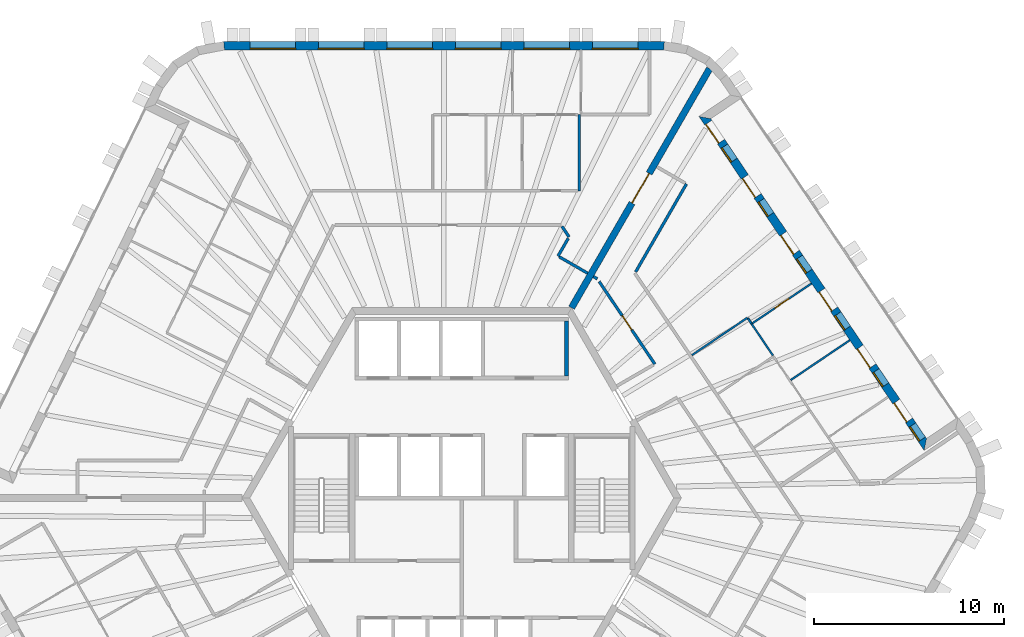
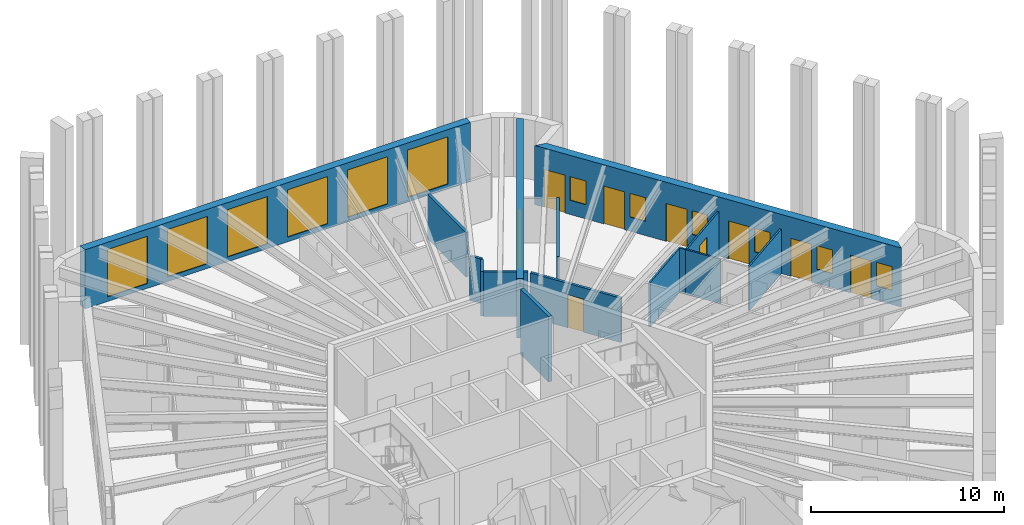
# One storey, part 9 of 12: 16 walls, 12 windows, 9 doors, 21 openings.
"""IFC4 building model written with IfcOpenShell, lengths in metres."""

from ifc_helpers import new_model, si_unit, direction, frame, frame_2d, origin, place, context, subcontext, project, spatial, polyline, rectangle, outline, extrude, material, layer, layer_set, type_object, element, fill, save


model = new_model("IFC4")

# Units and contexts
model_context = context("Model", 3, precision=1e-05, world=origin(), true_north=direction((0.0, 1.0)))
body_context = subcontext(model_context, "Body", "Model", "MODEL_VIEW")
ifc_project = project(units=[si_unit("LENGTHUNIT", "METRE"), si_unit("AREAUNIT", "SQUARE_METRE"), si_unit("VOLUMEUNIT", "CUBIC_METRE"), si_unit("PLANEANGLEUNIT", "RADIAN"), si_unit("MASSUNIT", "GRAM", prefix="KILO")], contexts=[model_context])

# Site, building, storey
site_placement = place(None, origin())
site = spatial("IfcSite", under=ifc_project, at=site_placement, CompositionType="ELEMENT")
building_placement = place(site_placement, origin())
building = spatial("IfcBuilding", under=site, at=building_placement, Name="Tarnside Tower", CompositionType="ELEMENT")
storey_placement = place(building_placement, frame((0.0, 0.0, 349.5)))
storey = spatial("IfcBuildingStorey", under=building, at=storey_placement, Name="L84", CompositionType="ELEMENT", Elevation=349.5)

# Walls
ifc_material_1 = material(Name="Gypsum board partition on steel studs", Category="steel")
ifc_layer_1 = layer(ifc_material_1, 0.10009765625)
ifc_layer_set_1 = layer_set([ifc_layer_1], Name="Bathroom wall 100")
wall_type_1 = type_object("IfcWallType", Name="Bathroom wall 100", PredefinedType="PARTITIONING", material=ifc_layer_set_1)
wall_1_placement = place(storey_placement, frame((12.09619140625, 7.50537109375, 0.0), z_axis=(0.0, 0.0, 1.0), x_axis=(0.829065408555, 0.559151632687, 0.0)))
element("IfcWall", 1, at=wall_1_placement, inside=storey, type_object=wall_type_1, Name="Bathroom wall 27120", PredefinedType="PARTITIONING", context=body_context, shape_type="SweptSolid", body=[
    extrude(rectangle(XDim=3.52490234375, YDim=0.10009765625, at=frame_2d((1.762451171875, 0.0))), origin(), (0.0, 0.0, 1.0), 2.820068359375),
])
wall_2_placement = place(storey_placement, frame((15.04638671875, 9.43505859375, 0.0), z_axis=(0.0, 0.0, 1.0), x_axis=(0.559141668278, -0.829072128826, 0.0)))
element("IfcWall", 2, at=wall_2_placement, inside=storey, type_object=wall_type_1, Name="Bathroom wall 27121", PredefinedType="PARTITIONING", context=body_context, shape_type="SweptSolid", body=[
    extrude(rectangle(XDim=0.341796875, YDim=0.10009765625, at=frame_2d((0.1708984375, 0.0))), origin(), (0.0, 0.0, 1.0), 2.820068359375),
])
wall_3_placement = place(storey_placement, frame((15.2353515625, 9.155029296875, 0.0), z_axis=(0.0, 0.0, 1.0), x_axis=(0.559199850123, -0.829032886937, 0.0)))
element("IfcWall", 3, at=wall_3_placement, inside=storey, type_object=wall_type_1, Name="Bathroom wall 27130", PredefinedType="PARTITIONING", context=body_context, shape_type="SweptSolid", body=[
    extrude(rectangle(XDim=2.01220703125, YDim=0.10009765625, at=frame_2d((1.006103515625, 0.0))), origin(), (0.0, 0.0, 1.0), 2.820068359375),
])

# Wall, opening, door
ifc_material_2 = material(Name="Concrete C50/60", Category="concrete")
ifc_layer_2 = layer(ifc_material_2, 0.35009765625)
ifc_layer_set_2 = layer_set([ifc_layer_2], Name="Core wall Z4 350 C50/60")
wall_type_2 = type_object("IfcWallType", Name="Core wall Z4 350 C50/60", PredefinedType="SHEAR", material=ifc_layer_set_2)
wall_4_placement = place(storey_placement, frame((5.7734375, 10.0, 0.0), z_axis=(0.0, 0.0, 1.0), x_axis=(0.500007911273, 0.866020836161, 0.0)))
wall_4 = element("IfcWall", 4, at=wall_4_placement, inside=storey, type_object=wall_type_2, Name="L84 spine wall 1", PredefinedType="SHEAR", context=body_context, shape_type="SweptSolid", body=[
    extrude(rectangle(XDim=14.510498046875, YDim=0.35009765625, at=frame_2d((7.25537109375, 0.0))), origin(), (0.0, 0.0, 1.0), 3.75),
])
opening_1_placement = place(wall_4_placement, frame((6.355224609375, 0.0, 0.0)))
opening_1 = element("IfcOpeningElement", 5, at=opening_1_placement, cuts=wall_4, Name="Opening CD-SPN", PredefinedType="OPENING", context=body_context, shape_type="SweptSolid", body=[
    extrude(rectangle(XDim=1.800048828125, YDim=2.39990234375, at=frame_2d((0.89990234375, 1.199951171875))), frame((0.0, 0.18505859375, 0.0), z_axis=(0.0, -1.0, 0.0), x_axis=(1.0, 0.0, 0.0)), (0.0, 0.0, 1.0), 0.3701171875),
])
ifc_material_3 = material(Name="Steel fire door", Category="steel")
door_type_1 = type_object("IfcDoorType", Name="Spine passage double door FD60 1800x2400", OperationType="NOTDEFINED", PredefinedType="DOOR", material=ifc_material_3)
door_1_placement = place(opening_1_placement, origin())
door_1 = element("IfcDoor", 6, at=door_1_placement, inside=storey, type_object=door_type_1, Name="L84 spine passage door 1", OperationType="DOUBLE_DOOR_SINGLE_SWING", OverallHeight=2.39990234375, OverallWidth=1.800048828125, PredefinedType="DOOR", context=body_context, shape_type="SweptSolid", body=[
    extrude(rectangle(XDim=1.800048828125, YDim=2.39990234375, at=frame_2d((0.89990234375, 1.199951171875))), frame((0.0, 0.02490234375, 0.0), z_axis=(0.0, -1.0, 0.0), x_axis=(1.0, 0.0, 0.0)), (0.0, 0.0, 1.0), 0.050048828125),
])
fill(opening_1, door_1)

# Walls
ifc_layer_3 = layer(ifc_material_1, 0.14990234375)
ifc_layer_set_3 = layer_set([ifc_layer_3], Name="Corridor wall 150 EI 60")
wall_type_3 = type_object("IfcWallType", Name="Corridor wall 150 EI 60", PredefinedType="PARTITIONING", material=ifc_layer_set_3)
wall_5_placement = place(storey_placement, frame((6.174560546875, 20.14990234375, 0.0), z_axis=(0.0, 0.0, 1.0), x_axis=(0.0, -1.0, 0.0)))
element("IfcWall", 7, at=wall_5_placement, inside=storey, type_object=wall_type_3, Name="Corridor wall 27003", PredefinedType="PARTITIONING", context=body_context, shape_type="SweptSolid", body=[
    extrude(rectangle(XDim=4.0, YDim=0.14990234375, at=frame_2d((2.0, 0.0))), origin(), (0.0, 0.0, 1.0), 2.820068359375),
])
wall_6_placement = place(storey_placement, frame((5.26806640625, 14.27490234375, 0.0), z_axis=(0.0, 0.0, 1.0), x_axis=(0.559416337009, -0.828886820915, 0.0)))
element("IfcWall", 8, at=wall_6_placement, inside=storey, type_object=wall_type_3, Name="Corridor wall 27021", PredefinedType="PARTITIONING", context=body_context, shape_type="SweptSolid", body=[
    extrude(rectangle(XDim=0.667724609375, YDim=0.14990234375, at=frame_2d((0.333984375, 0.0))), origin(), (0.0, 0.0, 1.0), 2.820068359375),
])
wall_7_placement = place(storey_placement, frame((5.599853515625, 13.649169921875, 0.0), z_axis=(0.0, 0.0, 1.0), x_axis=(-0.500126914667, -0.865952117167, 0.0)))
element("IfcWall", 9, at=wall_7_placement, inside=storey, type_object=wall_type_3, Name="Corridor wall 27022", PredefinedType="PARTITIONING", context=body_context, shape_type="SweptSolid", body=[
    extrude(rectangle(XDim=1.079833984375, YDim=0.14990234375, at=frame_2d((0.5400390625, 0.0))), origin(), (0.0, 0.0, 1.0), 2.820068359375),
])
wall_8_placement = place(storey_placement, frame((5.124755859375, 12.676513671875, 0.0), z_axis=(0.0, 0.0, 1.0), x_axis=(0.866013532718, -0.500020560727, 0.0)))
element("IfcWall", 10, at=wall_8_placement, inside=storey, type_object=wall_type_3, Name="Corridor wall 27023", PredefinedType="PARTITIONING", context=body_context, shape_type="SweptSolid", body=[
    extrude(rectangle(XDim=1.72509765625, YDim=0.14990234375, at=frame_2d((0.862548828125, 0.0))), origin(), (0.0, 0.0, 1.0), 2.820068359375),
])
wall_9_placement = place(storey_placement, frame((9.14208984375, 11.884765625, 0.0), z_axis=(0.0, 0.0, 1.0), x_axis=(0.500004822225, 0.866022619654, 0.0)))
element("IfcWall", 11, at=wall_9_placement, inside=storey, type_object=wall_type_3, Name="Corridor wall 27053", PredefinedType="PARTITIONING", context=body_context, shape_type="SweptSolid", body=[
    extrude(rectangle(XDim=5.3388671875, YDim=0.14990234375, at=frame_2d((2.66943359375, 0.0))), origin(), (0.0, 0.0, 1.0), 2.820068359375),
])
wall_10_placement = place(storey_placement, frame((6.921875, 11.638916015625, 0.0), z_axis=(0.0, 0.0, 1.0), x_axis=(0.866254745882, -0.499602557277, 0.0)))
element("IfcWall", 12, at=wall_10_placement, inside=storey, type_object=wall_type_3, Name="Corridor wall 27067", PredefinedType="PARTITIONING", context=body_context, shape_type="SweptSolid", body=[
    extrude(rectangle(XDim=0.235107421875, YDim=0.14990234375, at=frame_2d((0.11767578125, 0.0))), origin(), (0.0, 0.0, 1.0), 2.820068359375),
])

# Wall, opening, door
wall_11_placement = place(storey_placement, frame((7.22119140625, 11.379638671875, 0.0), z_axis=(0.0, 0.0, 1.0), x_axis=(0.559200548931, -0.829032415576, 0.0)))
wall_11 = element("IfcWall", 13, at=wall_11_placement, inside=storey, type_object=wall_type_3, Name="Corridor wall 27068", PredefinedType="PARTITIONING", context=body_context, shape_type="SweptSolid", body=[
    extrude(rectangle(XDim=5.236083984375, YDim=0.14990234375, at=frame_2d((2.6181640625, 0.0))), origin(), (0.0, 0.0, 1.0), 2.820068359375),
])
opening_2_placement = place(wall_11_placement, frame((2.16796875, 0.0, 0.0)))
opening_2 = element("IfcOpeningElement", 14, at=opening_2_placement, cuts=wall_11, Name="Opening D-S1", PredefinedType="OPENING", context=body_context, shape_type="SweptSolid", body=[
    extrude(rectangle(XDim=0.89990234375, YDim=2.10009765625, at=frame_2d((0.449951171875, 1.050048828125))), frame((0.0, 0.0849609375, 0.0), z_axis=(0.0, -1.0, 0.0), x_axis=(1.0, 0.0, 0.0)), (0.0, 0.0, 1.0), 0.169921875),
])
ifc_material_4 = material(Name="Timber door leaf", Category="wood")
door_type_2 = type_object("IfcDoorType", Name="Service room door 900 FD30S", OperationType="NOTDEFINED", PredefinedType="DOOR", material=ifc_material_4)
door_2_placement = place(opening_2_placement, origin())
door_2 = element("IfcDoor", 15, at=door_2_placement, inside=storey, type_object=door_type_2, Name="Service door 27065", OperationType="SINGLE_SWING_RIGHT", OverallHeight=2.10009765625, OverallWidth=0.89990234375, PredefinedType="DOOR", context=body_context, shape_type="SweptSolid", body=[
    extrude(rectangle(XDim=0.89990234375, YDim=2.10009765625, at=frame_2d((0.449951171875, 1.050048828125))), frame((0.0, 0.02490234375, 0.0), z_axis=(0.0, -1.0, 0.0), x_axis=(1.0, 0.0, 0.0)), (0.0, 0.0, 1.0), 0.050048828125),
])
fill(opening_2, door_2)

# Wall
ifc_material_5 = material(Name="Concrete C40/50", Category="concrete")
ifc_layer_4 = layer(ifc_material_5, 0.199951171875)
ifc_layer_set_4 = layer_set([ifc_layer_4], Name="Lift shaft wall 200 C40/50")
wall_type_4 = type_object("IfcWallType", Name="Lift shaft wall 200 C40/50", PredefinedType="SHEAR", material=ifc_layer_set_4)
wall_12_placement = place(storey_placement, frame((5.5, 6.39990234375, -0.5), z_axis=(0.0, 0.0, 1.0), x_axis=(0.0, 1.0, 0.0)))
element("IfcWall", 16, at=wall_12_placement, inside=storey, type_object=wall_type_4, Name="L84 lift shaft partition R16", PredefinedType="SHEAR", context=body_context, shape_type="SweptSolid", body=[
    extrude(rectangle(XDim=2.900146484375, YDim=0.199951171875, at=frame_2d((1.4501953125, 0.0))), origin(), (0.0, 0.0, 1.0), 4.14990234375),
])

# Wall, openings, doors, windows
ifc_material_6 = material(Name="Dark zinc cladding")
ifc_layer_5 = layer(ifc_material_6, 0.10205078125)
ifc_material_7 = material(Name="Concrete C60/75 precast", Category="concrete")
ifc_layer_6 = layer(ifc_material_7, 0.248046875)
ifc_material_8 = material(Name="Mineral wool insulation")
ifc_layer_7 = layer(ifc_material_8, 0.10009765625)
ifc_layer_set_5 = layer_set([ifc_layer_5, ifc_layer_6, ifc_layer_7], Name="Loggia wall 450 zinc faced")
wall_type_5 = type_object("IfcWallType", Name="Loggia wall 450 zinc faced", PredefinedType="SOLIDWALL", material=ifc_layer_set_5)
wall_13_placement = place(storey_placement, frame((24.36962890625, 2.810546875, 0.0), z_axis=(0.0, 0.0, 1.0), x_axis=(-0.559187034749, 0.829041531027, 0.0)))
wall_13 = element("IfcWall", 17, at=wall_13_placement, inside=storey, type_object=wall_type_5, Name="Tube wall L84 F6 back 30", PredefinedType="SOLIDWALL", context=body_context, shape_type="SweptSolid", body=[
    extrude(outline(polyline([(0.224853515625, -0.22509765625), (20.50634765625, -0.22509765625), (20.95654296875, 0.22509765625), (-0.224853515625, 0.22509765625), (0.224853515625, -0.22509765625)])), origin(), (0.0, 0.0, 1.0), 3.75),
])
opening_3_placement = place(wall_13_placement, frame((0.324951171875, 0.0, 0.89990234375)))
opening_3 = element("IfcOpeningElement", 18, at=opening_3_placement, cuts=wall_13, Name="Opening WL450", PredefinedType="OPENING", context=body_context, shape_type="SweptSolid", body=[
    extrude(rectangle(XDim=0.89990234375, YDim=1.5, at=frame_2d((0.449951171875, 0.75))), frame((0.0, 0.23486328125, 0.0), z_axis=(0.0, -1.0, 0.0), x_axis=(1.0, 0.0, 0.0)), (0.0, 0.0, 1.0), 0.469970703125),
])
opening_4_placement = place(wall_13_placement, frame((1.52490234375, 0.0, 0.0)))
opening_4 = element("IfcOpeningElement", 19, at=opening_4_placement, cuts=wall_13, Name="Opening DB450", PredefinedType="OPENING", context=body_context, shape_type="SweptSolid", body=[
    extrude(rectangle(XDim=1.199951171875, YDim=2.39990234375, at=frame_2d((0.60009765625, 1.199951171875))), frame((0.0, 0.23486328125, 0.0), z_axis=(0.0, -1.0, 0.0), x_axis=(1.0, 0.0, 0.0)), (0.0, 0.0, 1.0), 0.469970703125),
])
opening_5_placement = place(wall_13_placement, frame((3.765869140625, 0.0, 0.89990234375)))
opening_5 = element("IfcOpeningElement", 20, at=opening_5_placement, cuts=wall_13, Name="Opening WL450", PredefinedType="OPENING", context=body_context, shape_type="SweptSolid", body=[
    extrude(rectangle(XDim=0.89990234375, YDim=1.5, at=frame_2d((0.449951171875, 0.75))), frame((0.0, 0.23486328125, 0.0), z_axis=(0.0, -1.0, 0.0), x_axis=(1.0, 0.0, 0.0)), (0.0, 0.0, 1.0), 0.469970703125),
])
opening_6_placement = place(wall_13_placement, frame((4.9658203125, 0.0, 0.0)))
opening_6 = element("IfcOpeningElement", 21, at=opening_6_placement, cuts=wall_13, Name="Opening DB450", PredefinedType="OPENING", context=body_context, shape_type="SweptSolid", body=[
    extrude(rectangle(XDim=1.199951171875, YDim=2.39990234375, at=frame_2d((0.60009765625, 1.199951171875))), frame((0.0, 0.23486328125, 0.0), z_axis=(0.0, -1.0, 0.0), x_axis=(1.0, 0.0, 0.0)), (0.0, 0.0, 1.0), 0.469970703125),
])
opening_7_placement = place(wall_13_placement, frame((7.36572265625, 0.0, 0.89990234375)))
opening_7 = element("IfcOpeningElement", 22, at=opening_7_placement, cuts=wall_13, Name="Opening WL450", PredefinedType="OPENING", context=body_context, shape_type="SweptSolid", body=[
    extrude(rectangle(XDim=0.89990234375, YDim=1.5, at=frame_2d((0.449951171875, 0.75))), frame((0.0, 0.23486328125, 0.0), z_axis=(0.0, -1.0, 0.0), x_axis=(1.0, 0.0, 0.0)), (0.0, 0.0, 1.0), 0.469970703125),
])
opening_8_placement = place(wall_13_placement, frame((8.56591796875, 0.0, 0.0)))
opening_8 = element("IfcOpeningElement", 23, at=opening_8_placement, cuts=wall_13, Name="Opening DB450", PredefinedType="OPENING", context=body_context, shape_type="SweptSolid", body=[
    extrude(rectangle(XDim=1.199951171875, YDim=2.39990234375, at=frame_2d((0.60009765625, 1.199951171875))), frame((0.0, 0.23486328125, 0.0), z_axis=(0.0, -1.0, 0.0), x_axis=(1.0, 0.0, 0.0)), (0.0, 0.0, 1.0), 0.469970703125),
])
opening_9_placement = place(wall_13_placement, frame((10.9658203125, 0.0, 0.89990234375)))
opening_9 = element("IfcOpeningElement", 24, at=opening_9_placement, cuts=wall_13, Name="Opening WL450", PredefinedType="OPENING", context=body_context, shape_type="SweptSolid", body=[
    extrude(rectangle(XDim=0.89990234375, YDim=1.5, at=frame_2d((0.449951171875, 0.75))), frame((0.0, 0.23486328125, 0.0), z_axis=(0.0, -1.0, 0.0), x_axis=(1.0, 0.0, 0.0)), (0.0, 0.0, 1.0), 0.469970703125),
])
opening_10_placement = place(wall_13_placement, frame((12.165771484375, 0.0, 0.0)))
opening_10 = element("IfcOpeningElement", 25, at=opening_10_placement, cuts=wall_13, Name="Opening DB450", PredefinedType="OPENING", context=body_context, shape_type="SweptSolid", body=[
    extrude(rectangle(XDim=1.199951171875, YDim=2.39990234375, at=frame_2d((0.60009765625, 1.199951171875))), frame((0.0, 0.23486328125, 0.0), z_axis=(0.0, -1.0, 0.0), x_axis=(1.0, 0.0, 0.0)), (0.0, 0.0, 1.0), 0.469970703125),
])
opening_11_placement = place(wall_13_placement, frame((14.56591796875, 0.0, 0.89990234375)))
opening_11 = element("IfcOpeningElement", 26, at=opening_11_placement, cuts=wall_13, Name="Opening WL450", PredefinedType="OPENING", context=body_context, shape_type="SweptSolid", body=[
    extrude(rectangle(XDim=0.89990234375, YDim=1.5, at=frame_2d((0.449951171875, 0.75))), frame((0.0, 0.23486328125, 0.0), z_axis=(0.0, -1.0, 0.0), x_axis=(1.0, 0.0, 0.0)), (0.0, 0.0, 1.0), 0.469970703125),
])
opening_12_placement = place(wall_13_placement, frame((15.765869140625, 0.0, 0.0)))
opening_12 = element("IfcOpeningElement", 27, at=opening_12_placement, cuts=wall_13, Name="Opening DB450", PredefinedType="OPENING", context=body_context, shape_type="SweptSolid", body=[
    extrude(rectangle(XDim=1.199951171875, YDim=2.39990234375, at=frame_2d((0.60009765625, 1.199951171875))), frame((0.0, 0.23486328125, 0.0), z_axis=(0.0, -1.0, 0.0), x_axis=(1.0, 0.0, 0.0)), (0.0, 0.0, 1.0), 0.469970703125),
])
opening_13_placement = place(wall_13_placement, frame((18.006591796875, 0.0, 0.89990234375)))
opening_13 = element("IfcOpeningElement", 28, at=opening_13_placement, cuts=wall_13, Name="Opening WL450", PredefinedType="OPENING", context=body_context, shape_type="SweptSolid", body=[
    extrude(rectangle(XDim=0.89990234375, YDim=1.5, at=frame_2d((0.449951171875, 0.75))), frame((0.0, 0.23486328125, 0.0), z_axis=(0.0, -1.0, 0.0), x_axis=(1.0, 0.0, 0.0)), (0.0, 0.0, 1.0), 0.469970703125),
])
opening_14_placement = place(wall_13_placement, frame((19.20654296875, 0.0, 0.0)))
opening_14 = element("IfcOpeningElement", 29, at=opening_14_placement, cuts=wall_13, Name="Opening DB450", PredefinedType="OPENING", context=body_context, shape_type="SweptSolid", body=[
    extrude(rectangle(XDim=1.199951171875, YDim=2.39990234375, at=frame_2d((0.60009765625, 1.199951171875))), frame((0.0, 0.23486328125, 0.0), z_axis=(0.0, -1.0, 0.0), x_axis=(1.0, 0.0, 0.0)), (0.0, 0.0, 1.0), 0.469970703125),
])
ifc_material_9 = material(Name="Aluminium-framed double glazing", Category="aluminium")
door_type_3 = type_object("IfcDoorType", Name="Balcony sliding door 1200 x 2400 in 450 wall", OperationType="SLIDING_TO_LEFT", PredefinedType="DOOR", material=ifc_material_9)
door_3_placement = place(opening_4_placement, frame((0.0, 0.150146484375, 0.0)))
door_3 = element("IfcDoor", 30, at=door_3_placement, inside=storey, type_object=door_type_3, Name="E.BD.L84.F6.00", OperationType="SLIDING_TO_LEFT", OverallHeight=2.39990234375, OverallWidth=1.199951171875, PredefinedType="DOOR", context=body_context, shape_type="SweptSolid", body=[
    extrude(rectangle(XDim=1.199951171875, YDim=2.39990234375, at=frame_2d((0.60009765625, 1.199951171875))), frame((0.0, 0.02490234375, 0.0), z_axis=(0.0, -1.0, 0.0), x_axis=(1.0, 0.0, 0.0)), (0.0, 0.0, 1.0), 0.050048828125),
])
fill(opening_4, door_3)
door_4_placement = place(opening_6_placement, frame((0.0, 0.150146484375, 0.0)))
door_4 = element("IfcDoor", 31, at=door_4_placement, inside=storey, type_object=door_type_3, Name="E.BD.L84.F6.01", OperationType="SLIDING_TO_LEFT", OverallHeight=2.39990234375, OverallWidth=1.199951171875, PredefinedType="DOOR", context=body_context, shape_type="SweptSolid", body=[
    extrude(rectangle(XDim=1.199951171875, YDim=2.39990234375, at=frame_2d((0.60009765625, 1.199951171875))), frame((0.0, 0.02490234375, 0.0), z_axis=(0.0, -1.0, 0.0), x_axis=(1.0, 0.0, 0.0)), (0.0, 0.0, 1.0), 0.050048828125),
])
fill(opening_6, door_4)
door_5_placement = place(opening_8_placement, frame((0.0, 0.150146484375, 0.0)))
door_5 = element("IfcDoor", 32, at=door_5_placement, inside=storey, type_object=door_type_3, Name="E.BD.L84.F6.02", OperationType="SLIDING_TO_LEFT", OverallHeight=2.39990234375, OverallWidth=1.199951171875, PredefinedType="DOOR", context=body_context, shape_type="SweptSolid", body=[
    extrude(rectangle(XDim=1.199951171875, YDim=2.39990234375, at=frame_2d((0.60009765625, 1.199951171875))), frame((0.0, 0.02490234375, 0.0), z_axis=(0.0, -1.0, 0.0), x_axis=(1.0, 0.0, 0.0)), (0.0, 0.0, 1.0), 0.050048828125),
])
fill(opening_8, door_5)
door_6_placement = place(opening_10_placement, frame((0.0, 0.150146484375, 0.0)))
door_6 = element("IfcDoor", 33, at=door_6_placement, inside=storey, type_object=door_type_3, Name="E.BD.L84.F6.03", OperationType="SLIDING_TO_LEFT", OverallHeight=2.39990234375, OverallWidth=1.199951171875, PredefinedType="DOOR", context=body_context, shape_type="SweptSolid", body=[
    extrude(rectangle(XDim=1.199951171875, YDim=2.39990234375, at=frame_2d((0.60009765625, 1.199951171875))), frame((0.0, 0.02490234375, 0.0), z_axis=(0.0, -1.0, 0.0), x_axis=(1.0, 0.0, 0.0)), (0.0, 0.0, 1.0), 0.050048828125),
])
fill(opening_10, door_6)
door_7_placement = place(opening_12_placement, frame((0.0, 0.150146484375, 0.0)))
door_7 = element("IfcDoor", 34, at=door_7_placement, inside=storey, type_object=door_type_3, Name="E.BD.L84.F6.04", OperationType="SLIDING_TO_LEFT", OverallHeight=2.39990234375, OverallWidth=1.199951171875, PredefinedType="DOOR", context=body_context, shape_type="SweptSolid", body=[
    extrude(rectangle(XDim=1.199951171875, YDim=2.39990234375, at=frame_2d((0.60009765625, 1.199951171875))), frame((0.0, 0.02490234375, 0.0), z_axis=(0.0, -1.0, 0.0), x_axis=(1.0, 0.0, 0.0)), (0.0, 0.0, 1.0), 0.050048828125),
])
fill(opening_12, door_7)
door_8_placement = place(opening_14_placement, frame((0.0, 0.150146484375, 0.0)))
door_8 = element("IfcDoor", 35, at=door_8_placement, inside=storey, type_object=door_type_3, Name="E.BD.L84.F6.05", OperationType="SLIDING_TO_LEFT", OverallHeight=2.39990234375, OverallWidth=1.199951171875, PredefinedType="DOOR", context=body_context, shape_type="SweptSolid", body=[
    extrude(rectangle(XDim=1.199951171875, YDim=2.39990234375, at=frame_2d((0.60009765625, 1.199951171875))), frame((0.0, 0.02490234375, 0.0), z_axis=(0.0, -1.0, 0.0), x_axis=(1.0, 0.0, 0.0)), (0.0, 0.0, 1.0), 0.050048828125),
])
fill(opening_14, door_8)
window_type_1 = type_object("IfcWindowType", Name="Loggia window 900 x 1500 in 450 wall", PartitioningType="SINGLE_PANEL", PredefinedType="WINDOW", material=ifc_material_9)
window_1_placement = place(opening_3_placement, frame((0.0, 0.1552734375, 0.0)))
window_1 = element("IfcWindow", 36, at=window_1_placement, inside=storey, type_object=window_type_1, Name="E.LW.L84.F6.00", OverallHeight=1.5, OverallWidth=0.89990234375, PartitioningType="SINGLE_PANEL", PredefinedType="WINDOW", context=body_context, shape_type="SweptSolid", body=[
    extrude(rectangle(XDim=0.89990234375, YDim=1.5, at=frame_2d((0.449951171875, 0.75))), frame((0.0, 0.030029296875, 0.0), z_axis=(0.0, -1.0, 0.0), x_axis=(1.0, 0.0, 0.0)), (0.0, 0.0, 1.0), 0.06005859375),
])
fill(opening_3, window_1)
window_2_placement = place(opening_5_placement, frame((0.0, 0.1552734375, 0.0)))
window_2 = element("IfcWindow", 37, at=window_2_placement, inside=storey, type_object=window_type_1, Name="E.LW.L84.F6.01", OverallHeight=1.5, OverallWidth=0.89990234375, PartitioningType="SINGLE_PANEL", PredefinedType="WINDOW", context=body_context, shape_type="SweptSolid", body=[
    extrude(rectangle(XDim=0.89990234375, YDim=1.5, at=frame_2d((0.449951171875, 0.75))), frame((0.0, 0.030029296875, 0.0), z_axis=(0.0, -1.0, 0.0), x_axis=(1.0, 0.0, 0.0)), (0.0, 0.0, 1.0), 0.06005859375),
])
fill(opening_5, window_2)
window_3_placement = place(opening_7_placement, frame((0.0, 0.1552734375, 0.0)))
window_3 = element("IfcWindow", 38, at=window_3_placement, inside=storey, type_object=window_type_1, Name="E.LW.L84.F6.02", OverallHeight=1.5, OverallWidth=0.89990234375, PartitioningType="SINGLE_PANEL", PredefinedType="WINDOW", context=body_context, shape_type="SweptSolid", body=[
    extrude(rectangle(XDim=0.89990234375, YDim=1.5, at=frame_2d((0.449951171875, 0.75))), frame((0.0, 0.030029296875, 0.0), z_axis=(0.0, -1.0, 0.0), x_axis=(1.0, 0.0, 0.0)), (0.0, 0.0, 1.0), 0.06005859375),
])
fill(opening_7, window_3)
window_4_placement = place(opening_9_placement, frame((0.0, 0.1552734375, 0.0)))
window_4 = element("IfcWindow", 39, at=window_4_placement, inside=storey, type_object=window_type_1, Name="E.LW.L84.F6.03", OverallHeight=1.5, OverallWidth=0.89990234375, PartitioningType="SINGLE_PANEL", PredefinedType="WINDOW", context=body_context, shape_type="SweptSolid", body=[
    extrude(rectangle(XDim=0.89990234375, YDim=1.5, at=frame_2d((0.449951171875, 0.75))), frame((0.0, 0.030029296875, 0.0), z_axis=(0.0, -1.0, 0.0), x_axis=(1.0, 0.0, 0.0)), (0.0, 0.0, 1.0), 0.06005859375),
])
fill(opening_9, window_4)
window_5_placement = place(opening_11_placement, frame((0.0, 0.1552734375, 0.0)))
window_5 = element("IfcWindow", 40, at=window_5_placement, inside=storey, type_object=window_type_1, Name="E.LW.L84.F6.04", OverallHeight=1.5, OverallWidth=0.89990234375, PartitioningType="SINGLE_PANEL", PredefinedType="WINDOW", context=body_context, shape_type="SweptSolid", body=[
    extrude(rectangle(XDim=0.89990234375, YDim=1.5, at=frame_2d((0.449951171875, 0.75))), frame((0.0, 0.030029296875, 0.0), z_axis=(0.0, -1.0, 0.0), x_axis=(1.0, 0.0, 0.0)), (0.0, 0.0, 1.0), 0.06005859375),
])
fill(opening_11, window_5)
window_6_placement = place(opening_13_placement, frame((0.0, 0.1552734375, 0.0)))
window_6 = element("IfcWindow", 41, at=window_6_placement, inside=storey, type_object=window_type_1, Name="E.LW.L84.F6.05", OverallHeight=1.5, OverallWidth=0.89990234375, PartitioningType="SINGLE_PANEL", PredefinedType="WINDOW", context=body_context, shape_type="SweptSolid", body=[
    extrude(rectangle(XDim=0.89990234375, YDim=1.5, at=frame_2d((0.449951171875, 0.75))), frame((0.0, 0.030029296875, 0.0), z_axis=(0.0, -1.0, 0.0), x_axis=(1.0, 0.0, 0.0)), (0.0, 0.0, 1.0), 0.06005859375),
])
fill(opening_13, window_6)

# Wall, opening, door
ifc_layer_8 = layer(ifc_material_1, 0.10009765625)
ifc_layer_set_6 = layer_set([ifc_layer_8], Name="Partition 100")
wall_type_6 = type_object("IfcWallType", Name="Partition 100", PredefinedType="PARTITIONING", material=ifc_layer_set_6)
wall_14_placement = place(storey_placement, frame((15.27783203125, 9.181396484375, 0.0), z_axis=(0.0, 0.0, 1.0), x_axis=(0.829043350963, 0.559184336534, 0.0)))
wall_14 = element("IfcWall", 42, at=wall_14_placement, inside=storey, type_object=wall_type_6, Name="Partition wall 27119", PredefinedType="PARTITIONING", context=body_context, shape_type="SweptSolid", body=[
    extrude(rectangle(XDim=3.75, YDim=0.10009765625, at=frame_2d((1.875, 0.0))), origin(), (0.0, 0.0, 1.0), 2.820068359375),
])
opening_15_placement = place(wall_14_placement, frame((1.425048828125, 0.0, 0.0)))
opening_15 = element("IfcOpeningElement", 43, at=opening_15_placement, cuts=wall_14, Name="Opening D-I1", PredefinedType="OPENING", context=body_context, shape_type="SweptSolid", body=[
    extrude(rectangle(XDim=0.89990234375, YDim=2.10009765625, at=frame_2d((0.449951171875, 1.050048828125))), frame((0.0, 0.06005859375, 0.0), z_axis=(0.0, -1.0, 0.0), x_axis=(1.0, 0.0, 0.0)), (0.0, 0.0, 1.0), 0.1201171875),
])
door_type_4 = type_object("IfcDoorType", Name="Internal door 900", OperationType="NOTDEFINED", PredefinedType="DOOR", material=ifc_material_4)
door_9_placement = place(opening_15_placement, origin())
door_9 = element("IfcDoor", 44, at=door_9_placement, inside=storey, type_object=door_type_4, Name="Internal door 27059", OperationType="SINGLE_SWING_RIGHT", OverallHeight=2.10009765625, OverallWidth=0.89990234375, PredefinedType="DOOR", context=body_context, shape_type="SweptSolid", body=[
    extrude(rectangle(XDim=0.89990234375, YDim=2.10009765625, at=frame_2d((0.449951171875, 1.050048828125))), frame((0.0, 0.02490234375, 0.0), z_axis=(0.0, -1.0, 0.0), x_axis=(1.0, 0.0, 0.0)), (0.0, 0.0, 1.0), 0.050048828125),
])
fill(opening_15, door_9)

# Wall
wall_15_placement = place(storey_placement, frame((20.39990234375, 8.293701171875, 0.0), z_axis=(0.0, 0.0, 1.0), x_axis=(-0.829043350963, -0.559184336534, 0.0)))
element("IfcWall", 45, at=wall_15_placement, inside=storey, type_object=wall_type_6, Name="Partition wall 27129", PredefinedType="PARTITIONING", context=body_context, shape_type="SweptSolid", body=[
    extrude(rectangle(XDim=3.75, YDim=0.10009765625, at=frame_2d((1.875, 0.0))), origin(), (0.0, 0.0, 1.0), 2.820068359375),
])

# Wall, openings, windows
ifc_material_10 = material(Name="Facing brick", Category="masonry")
ifc_layer_9 = layer(ifc_material_10, 0.10205078125)
ifc_layer_10 = layer(ifc_material_7, 0.248046875)
ifc_layer_11 = layer(ifc_material_8, 0.10009765625)
ifc_layer_set_7 = layer_set([ifc_layer_9, ifc_layer_10, ifc_layer_11], Name="Tube wall 450 brick faced")
wall_type_7 = type_object("IfcWallType", Name="Tube wall 450 brick faced", PredefinedType="SOLIDWALL", material=ifc_layer_set_7)
wall_16_placement = place(storey_placement, frame((10.63427734375, 23.77490234375, 0.0), z_axis=(0.0, 0.0, 1.0), x_axis=(-1.0, 0.0, 0.0)))
wall_16 = element("IfcWall", 46, at=wall_16_placement, inside=storey, type_object=wall_type_7, Name="Tube wall L84 F1 flush 00", PredefinedType="SOLIDWALL", context=body_context, shape_type="SweptSolid", body=[
    extrude(outline(polyline([(-0.018310546875, -0.22509765625), (23.152587890625, -0.22509765625), (23.110595703125, 0.22509765625), (0.018310546875, 0.22509765625), (-0.018310546875, -0.22509765625)])), origin(), (0.0, 0.0, 1.0), 3.75),
])
opening_16_placement = place(wall_16_placement, frame((1.36572265625, 0.0, 0.300048828125)))
opening_16 = element("IfcOpeningElement", 47, at=opening_16_placement, cuts=wall_16, Name="Opening WP", PredefinedType="OPENING", context=body_context, shape_type="SweptSolid", body=[
    extrude(rectangle(XDim=2.39990234375, YDim=3.0, at=frame_2d((1.199951171875, 1.5))), frame((0.0, 0.23486328125, 0.0), z_axis=(0.0, -1.0, 0.0), x_axis=(1.0, 0.0, 0.0)), (0.0, 0.0, 1.0), 0.469970703125),
])
opening_17_placement = place(wall_16_placement, frame((4.9658203125, 0.0, 0.300048828125)))
opening_17 = element("IfcOpeningElement", 48, at=opening_17_placement, cuts=wall_16, Name="Opening WP", PredefinedType="OPENING", context=body_context, shape_type="SweptSolid", body=[
    extrude(rectangle(XDim=2.39990234375, YDim=3.0, at=frame_2d((1.199951171875, 1.5))), frame((0.0, 0.23486328125, 0.0), z_axis=(0.0, -1.0, 0.0), x_axis=(1.0, 0.0, 0.0)), (0.0, 0.0, 1.0), 0.469970703125),
])
opening_18_placement = place(wall_16_placement, frame((8.56591796875, 0.0, 0.300048828125)))
opening_18 = element("IfcOpeningElement", 49, at=opening_18_placement, cuts=wall_16, Name="Opening WP", PredefinedType="OPENING", context=body_context, shape_type="SweptSolid", body=[
    extrude(rectangle(XDim=2.39990234375, YDim=3.0, at=frame_2d((1.199951171875, 1.5))), frame((0.0, 0.23486328125, 0.0), z_axis=(0.0, -1.0, 0.0), x_axis=(1.0, 0.0, 0.0)), (0.0, 0.0, 1.0), 0.469970703125),
])
opening_19_placement = place(wall_16_placement, frame((12.165771484375, 0.0, 0.300048828125)))
opening_19 = element("IfcOpeningElement", 50, at=opening_19_placement, cuts=wall_16, Name="Opening WP", PredefinedType="OPENING", context=body_context, shape_type="SweptSolid", body=[
    extrude(rectangle(XDim=2.39990234375, YDim=3.0, at=frame_2d((1.199951171875, 1.5))), frame((0.0, 0.23486328125, 0.0), z_axis=(0.0, -1.0, 0.0), x_axis=(1.0, 0.0, 0.0)), (0.0, 0.0, 1.0), 0.469970703125),
])
opening_20_placement = place(wall_16_placement, frame((15.765869140625, 0.0, 0.300048828125)))
opening_20 = element("IfcOpeningElement", 51, at=opening_20_placement, cuts=wall_16, Name="Opening WP", PredefinedType="OPENING", context=body_context, shape_type="SweptSolid", body=[
    extrude(rectangle(XDim=2.39990234375, YDim=3.0, at=frame_2d((1.199951171875, 1.5))), frame((0.0, 0.23486328125, 0.0), z_axis=(0.0, -1.0, 0.0), x_axis=(1.0, 0.0, 0.0)), (0.0, 0.0, 1.0), 0.469970703125),
])
opening_21_placement = place(wall_16_placement, frame((19.36572265625, 0.0, 0.300048828125)))
opening_21 = element("IfcOpeningElement", 52, at=opening_21_placement, cuts=wall_16, Name="Opening WP", PredefinedType="OPENING", context=body_context, shape_type="SweptSolid", body=[
    extrude(rectangle(XDim=2.39990234375, YDim=3.0, at=frame_2d((1.199951171875, 1.5))), frame((0.0, 0.23486328125, 0.0), z_axis=(0.0, -1.0, 0.0), x_axis=(1.0, 0.0, 0.0)), (0.0, 0.0, 1.0), 0.469970703125),
])
window_type_2 = type_object("IfcWindowType", Name="Penthouse window 2400 x 3000", PartitioningType="DOUBLE_PANEL_VERTICAL", PredefinedType="WINDOW", material=ifc_material_9)
window_7_placement = place(opening_16_placement, frame((0.0, 0.1552734375, 0.0)))
window_7 = element("IfcWindow", 53, at=window_7_placement, inside=storey, type_object=window_type_2, Name="E.WN.L84.F1.00", OverallHeight=3.0, OverallWidth=2.39990234375, PartitioningType="DOUBLE_PANEL_VERTICAL", PredefinedType="WINDOW", context=body_context, shape_type="SweptSolid", body=[
    extrude(rectangle(XDim=2.39990234375, YDim=3.0, at=frame_2d((1.199951171875, 1.5))), frame((0.0, 0.030029296875, 0.0), z_axis=(0.0, -1.0, 0.0), x_axis=(1.0, 0.0, 0.0)), (0.0, 0.0, 1.0), 0.06005859375),
])
fill(opening_16, window_7)
window_8_placement = place(opening_17_placement, frame((0.0, 0.1552734375, 0.0)))
window_8 = element("IfcWindow", 54, at=window_8_placement, inside=storey, type_object=window_type_2, Name="E.WN.L84.F1.01", OverallHeight=3.0, OverallWidth=2.39990234375, PartitioningType="DOUBLE_PANEL_VERTICAL", PredefinedType="WINDOW", context=body_context, shape_type="SweptSolid", body=[
    extrude(rectangle(XDim=2.39990234375, YDim=3.0, at=frame_2d((1.199951171875, 1.5))), frame((0.0, 0.030029296875, 0.0), z_axis=(0.0, -1.0, 0.0), x_axis=(1.0, 0.0, 0.0)), (0.0, 0.0, 1.0), 0.06005859375),
])
fill(opening_17, window_8)
window_9_placement = place(opening_18_placement, frame((0.0, 0.1552734375, 0.0)))
window_9 = element("IfcWindow", 55, at=window_9_placement, inside=storey, type_object=window_type_2, Name="E.WN.L84.F1.02", OverallHeight=3.0, OverallWidth=2.39990234375, PartitioningType="DOUBLE_PANEL_VERTICAL", PredefinedType="WINDOW", context=body_context, shape_type="SweptSolid", body=[
    extrude(rectangle(XDim=2.39990234375, YDim=3.0, at=frame_2d((1.199951171875, 1.5))), frame((0.0, 0.030029296875, 0.0), z_axis=(0.0, -1.0, 0.0), x_axis=(1.0, 0.0, 0.0)), (0.0, 0.0, 1.0), 0.06005859375),
])
fill(opening_18, window_9)
window_10_placement = place(opening_19_placement, frame((0.0, 0.1552734375, 0.0)))
window_10 = element("IfcWindow", 56, at=window_10_placement, inside=storey, type_object=window_type_2, Name="E.WN.L84.F1.03", OverallHeight=3.0, OverallWidth=2.39990234375, PartitioningType="DOUBLE_PANEL_VERTICAL", PredefinedType="WINDOW", context=body_context, shape_type="SweptSolid", body=[
    extrude(rectangle(XDim=2.39990234375, YDim=3.0, at=frame_2d((1.199951171875, 1.5))), frame((0.0, 0.030029296875, 0.0), z_axis=(0.0, -1.0, 0.0), x_axis=(1.0, 0.0, 0.0)), (0.0, 0.0, 1.0), 0.06005859375),
])
fill(opening_19, window_10)
window_11_placement = place(opening_20_placement, frame((0.0, 0.1552734375, 0.0)))
window_11 = element("IfcWindow", 57, at=window_11_placement, inside=storey, type_object=window_type_2, Name="E.WN.L84.F1.04", OverallHeight=3.0, OverallWidth=2.39990234375, PartitioningType="DOUBLE_PANEL_VERTICAL", PredefinedType="WINDOW", context=body_context, shape_type="SweptSolid", body=[
    extrude(rectangle(XDim=2.39990234375, YDim=3.0, at=frame_2d((1.199951171875, 1.5))), frame((0.0, 0.030029296875, 0.0), z_axis=(0.0, -1.0, 0.0), x_axis=(1.0, 0.0, 0.0)), (0.0, 0.0, 1.0), 0.06005859375),
])
fill(opening_20, window_11)
window_12_placement = place(opening_21_placement, frame((0.0, 0.1552734375, 0.0)))
window_12 = element("IfcWindow", 58, at=window_12_placement, inside=storey, type_object=window_type_2, Name="E.WN.L84.F1.05", OverallHeight=3.0, OverallWidth=2.39990234375, PartitioningType="DOUBLE_PANEL_VERTICAL", PredefinedType="WINDOW", context=body_context, shape_type="SweptSolid", body=[
    extrude(rectangle(XDim=2.39990234375, YDim=3.0, at=frame_2d((1.199951171875, 1.5))), frame((0.0, 0.030029296875, 0.0), z_axis=(0.0, -1.0, 0.0), x_axis=(1.0, 0.0, 0.0)), (0.0, 0.0, 1.0), 0.06005859375),
])
fill(opening_21, window_12)

save(model, "model.ifc")
